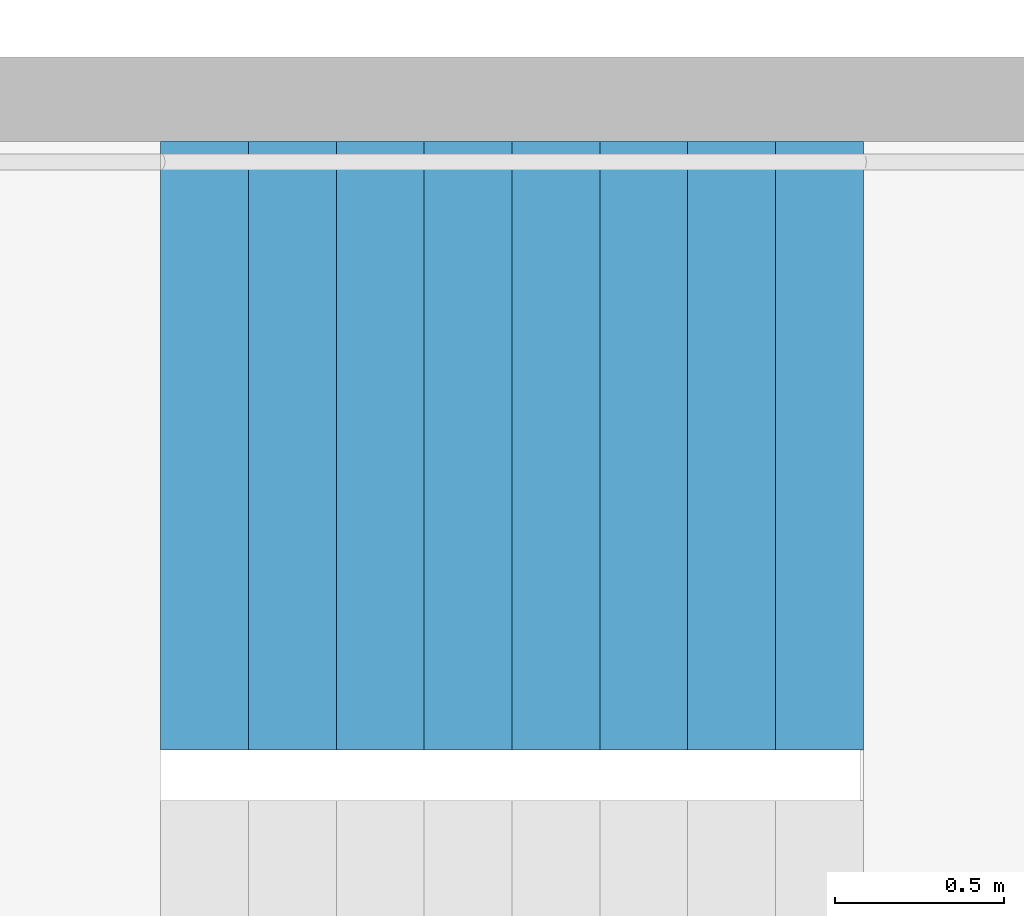
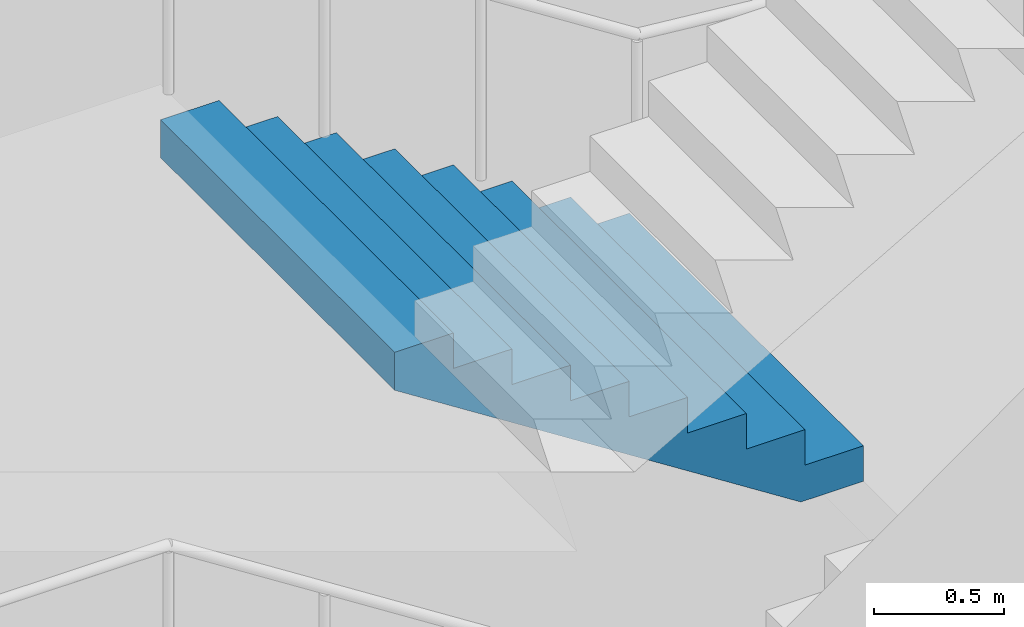
# One storey, part 53 of 100: 1 stair flight, 1 element without a shape of its own.
"""IFC4 building model written with IfcOpenShell, lengths in metres."""

from ifc_helpers import new_model, si_unit, direction, frame, origin, place, context, subcontext, project, spatial, triangles, material, type_object, element, aggregate, save


model = new_model("IFC4")

# Units and contexts
model_context = context("Model", 3, precision=1e-05, world=origin(), true_north=direction((0.0, 1.0)))
body_context = subcontext(model_context, "Body", "Model", "MODEL_VIEW")
ifc_project = project(units=[si_unit("LENGTHUNIT", "METRE"), si_unit("AREAUNIT", "SQUARE_METRE"), si_unit("VOLUMEUNIT", "CUBIC_METRE"), si_unit("PLANEANGLEUNIT", "RADIAN"), si_unit("MASSUNIT", "GRAM", prefix="KILO")], contexts=[model_context])

# Site, building, storey
site_placement = place(None, origin())
site = spatial("IfcSite", under=ifc_project, at=site_placement, CompositionType="ELEMENT")
building_placement = place(site_placement, origin())
building = spatial("IfcBuilding", under=site, at=building_placement, Name="Hakoniwa Tower and Hamabe Station Hall", CompositionType="ELEMENT")
storey_placement = place(building_placement, frame((0.0, 0.0, 9.0)))
storey = spatial("IfcBuildingStorey", under=building, at=storey_placement, Name="L02", CompositionType="ELEMENT", Elevation=9.0)

# Stair, stair flight
ifc_material_1 = material(Name="Concrete C40", Category="concrete")
stair_type = type_object("IfcStairType", Name="ESCAPE STAIR 1800", PredefinedType="HALF_TURN_STAIR", material=ifc_material_1)
stair_placement = place(storey_placement, origin())
stair = element("IfcStair", 1, at=stair_placement, inside=storey, type_object=stair_type, Name="Escape stair ST-2 L02", PredefinedType="HALF_TURN_STAIR")
ifc_material_2 = material(Name="Concrete C40", Category="concrete")
stair_flight_type = type_object("IfcStairFlightType", Name="STAIR FLIGHT 1800", PredefinedType="STRAIGHT", material=ifc_material_2)
stair_flight_placement = place(storey_placement, frame((-23.39990234375, -4.64990234375, 3.0), z_axis=(0.0, 0.0, 1.0), x_axis=(-1.0, 0.0, 0.0)))
stair_flight = element("IfcStairFlight", 2, at=stair_flight_placement, type_object=stair_flight_type, Name="ST-2 flight 3", NumberOfRisers=9, NumberOfTreads=8, PredefinedType="STRAIGHT", RiserHeight=0.166666667, TreadLength=0.26, context=body_context, shape_type="Tessellation", body=[
    triangles([(0.0, 0.89990234375, 0.0), (0.260009765625, 0.89990234375, 0.0), (0.27783203125, 0.89990234375, 0.0), (0.52001953125, 0.89990234375, 0.1552734375), (0.780029296875, 0.89990234375, 0.322021484375), (1.0400390625, 0.89990234375, 0.488525390625), (1.300048828125, 0.89990234375, 0.6552734375), (1.56005859375, 0.89990234375, 0.822021484375), (1.820068359375, 0.89990234375, 0.988525390625), (2.080078125, 0.89990234375, 1.1552734375), (2.080078125, 0.89990234375, 1.333251953125), (1.820068359375, 0.89990234375, 1.333251953125), (1.820068359375, 0.89990234375, 1.166748046875), (1.56005859375, 0.89990234375, 1.166748046875), (1.56005859375, 0.89990234375, 1.0), (1.300048828125, 0.89990234375, 1.0), (1.300048828125, 0.89990234375, 0.833251953125), (1.0400390625, 0.89990234375, 0.833251953125), (1.0400390625, 0.89990234375, 0.666748046875), (0.780029296875, 0.89990234375, 0.666748046875), (0.780029296875, 0.89990234375, 0.5), (0.52001953125, 0.89990234375, 0.5), (0.52001953125, 0.89990234375, 0.333251953125), (0.27783203125, 0.89990234375, 0.333251953125), (0.260009765625, 0.89990234375, 0.333251953125), (0.260009765625, 0.89990234375, 0.166748046875), (0.0, 0.89990234375, 0.166748046875), (0.0, 0.06005859375, 0.0), (0.260009765625, 0.06005859375, 0.0), (0.27783203125, 0.06005859375, 0.0), (0.52001953125, 0.06005859375, 0.1552734375), (0.780029296875, 0.06005859375, 0.322021484375), (1.0400390625, 0.06005859375, 0.488525390625), (1.300048828125, 0.06005859375, 0.6552734375), (1.56005859375, 0.06005859375, 0.822021484375), (1.820068359375, 0.06005859375, 0.988525390625), (2.080078125, 0.06005859375, 1.1552734375), (2.080078125, 0.06005859375, 1.333251953125), (1.820068359375, 0.06005859375, 1.333251953125), (1.820068359375, 0.06005859375, 1.166748046875), (1.56005859375, 0.06005859375, 1.166748046875), (1.56005859375, 0.06005859375, 1.0), (1.300048828125, 0.06005859375, 1.0), (1.300048828125, 0.06005859375, 0.833251953125), (1.0400390625, 0.06005859375, 0.833251953125), (1.0400390625, 0.06005859375, 0.666748046875), (0.780029296875, 0.06005859375, 0.666748046875), (0.780029296875, 0.06005859375, 0.5), (0.52001953125, 0.06005859375, 0.5), (0.52001953125, 0.06005859375, 0.333251953125), (0.27783203125, 0.06005859375, 0.333251953125), (0.260009765625, 0.06005859375, 0.333251953125), (0.260009765625, 0.06005859375, 0.166748046875), (0.0, 0.06005859375, 0.166748046875), (0.0, 0.04296875, 0.0), (0.260009765625, 0.04296875, 0.0), (0.27783203125, 0.04296875, 0.0), (0.52001953125, 0.04296875, 0.1552734375), (0.780029296875, 0.04296875, 0.322021484375), (1.0400390625, 0.04296875, 0.488525390625), (1.300048828125, 0.04296875, 0.6552734375), (1.56005859375, 0.04296875, 0.822021484375), (1.820068359375, 0.04296875, 0.988525390625), (2.080078125, 0.04296875, 1.1552734375), (2.080078125, 0.04296875, 1.333251953125), (1.820068359375, 0.04296875, 1.333251953125), (1.820068359375, 0.04296875, 1.166748046875), (1.56005859375, 0.04296875, 1.166748046875), (1.56005859375, 0.04296875, 1.0), (1.300048828125, 0.04296875, 1.0), (1.300048828125, 0.04296875, 0.833251953125), (1.0400390625, 0.04296875, 0.833251953125), (1.0400390625, 0.04296875, 0.666748046875), (0.780029296875, 0.04296875, 0.666748046875), (0.780029296875, 0.04296875, 0.5), (0.52001953125, 0.04296875, 0.5), (0.52001953125, 0.04296875, 0.333251953125), (0.27783203125, 0.04296875, 0.333251953125), (0.260009765625, 0.04296875, 0.333251953125), (0.260009765625, 0.04296875, 0.166748046875), (0.0, 0.04296875, 0.166748046875), (0.0, 0.025634765625, 0.0), (0.260009765625, 0.025634765625, 0.0), (0.27783203125, 0.025634765625, 0.0), (0.52001953125, 0.025634765625, 0.1552734375), (0.780029296875, 0.025634765625, 0.322021484375), (1.0400390625, 0.025634765625, 0.488525390625), (1.300048828125, 0.025634765625, 0.6552734375), (1.56005859375, 0.025634765625, 0.822021484375), (1.820068359375, 0.025634765625, 0.988525390625), (2.080078125, 0.025634765625, 1.1552734375), (2.080078125, 0.025634765625, 1.333251953125), (1.820068359375, 0.025634765625, 1.333251953125), (1.820068359375, 0.025634765625, 1.166748046875), (1.56005859375, 0.025634765625, 1.166748046875), (1.56005859375, 0.025634765625, 1.0), (1.300048828125, 0.025634765625, 1.0), (1.300048828125, 0.025634765625, 0.833251953125), (1.0400390625, 0.025634765625, 0.833251953125), (1.0400390625, 0.025634765625, 0.666748046875), (0.780029296875, 0.025634765625, 0.666748046875), (0.780029296875, 0.025634765625, 0.5), (0.52001953125, 0.025634765625, 0.5), (0.52001953125, 0.025634765625, 0.333251953125), (0.27783203125, 0.025634765625, 0.333251953125), (0.260009765625, 0.025634765625, 0.333251953125), (0.260009765625, 0.025634765625, 0.166748046875), (0.0, 0.025634765625, 0.166748046875), (0.0, 0.008544921875, 0.0), (0.260009765625, 0.008544921875, 0.0), (0.27783203125, 0.008544921875, 0.0), (0.52001953125, 0.008544921875, 0.1552734375), (0.780029296875, 0.008544921875, 0.322021484375), (1.0400390625, 0.008544921875, 0.488525390625), (1.300048828125, 0.008544921875, 0.6552734375), (1.56005859375, 0.008544921875, 0.822021484375), (1.820068359375, 0.008544921875, 0.988525390625), (2.080078125, 0.008544921875, 1.1552734375), (2.080078125, 0.008544921875, 1.333251953125), (1.820068359375, 0.008544921875, 1.333251953125), (1.820068359375, 0.008544921875, 1.166748046875), (1.56005859375, 0.008544921875, 1.166748046875), (1.56005859375, 0.008544921875, 1.0), (1.300048828125, 0.008544921875, 1.0), (1.300048828125, 0.008544921875, 0.833251953125), (1.0400390625, 0.008544921875, 0.833251953125), (1.0400390625, 0.008544921875, 0.666748046875), (0.780029296875, 0.008544921875, 0.666748046875), (0.780029296875, 0.008544921875, 0.5), (0.52001953125, 0.008544921875, 0.5), (0.52001953125, 0.008544921875, 0.333251953125), (0.27783203125, 0.008544921875, 0.333251953125), (0.260009765625, 0.008544921875, 0.333251953125), (0.260009765625, 0.008544921875, 0.166748046875), (0.0, 0.008544921875, 0.166748046875), (0.0, -0.008544921875, 0.0), (0.260009765625, -0.008544921875, 0.0), (0.27783203125, -0.008544921875, 0.0), (0.52001953125, -0.008544921875, 0.1552734375), (0.780029296875, -0.008544921875, 0.322021484375), (1.0400390625, -0.008544921875, 0.488525390625), (1.300048828125, -0.008544921875, 0.6552734375), (1.56005859375, -0.008544921875, 0.822021484375), (1.820068359375, -0.008544921875, 0.988525390625), (2.080078125, -0.008544921875, 1.1552734375), (2.080078125, -0.008544921875, 1.333251953125), (1.820068359375, -0.008544921875, 1.333251953125), (1.820068359375, -0.008544921875, 1.166748046875), (1.56005859375, -0.008544921875, 1.166748046875), (1.56005859375, -0.008544921875, 1.0), (1.300048828125, -0.008544921875, 1.0), (1.300048828125, -0.008544921875, 0.833251953125), (1.0400390625, -0.008544921875, 0.833251953125), (1.0400390625, -0.008544921875, 0.666748046875), (0.780029296875, -0.008544921875, 0.666748046875), (0.780029296875, -0.008544921875, 0.5), (0.52001953125, -0.008544921875, 0.5), (0.52001953125, -0.008544921875, 0.333251953125), (0.27783203125, -0.008544921875, 0.333251953125), (0.260009765625, -0.008544921875, 0.333251953125), (0.260009765625, -0.008544921875, 0.166748046875), (0.0, -0.008544921875, 0.166748046875), (0.0, -0.025634765625, 0.0), (0.260009765625, -0.025634765625, 0.0), (0.27783203125, -0.025634765625, 0.0), (0.52001953125, -0.025634765625, 0.1552734375), (0.780029296875, -0.025634765625, 0.322021484375), (1.0400390625, -0.025634765625, 0.488525390625), (1.300048828125, -0.025634765625, 0.6552734375), (1.56005859375, -0.025634765625, 0.822021484375), (1.820068359375, -0.025634765625, 0.988525390625), (2.080078125, -0.025634765625, 1.1552734375), (2.080078125, -0.025634765625, 1.333251953125), (1.820068359375, -0.025634765625, 1.333251953125), (1.820068359375, -0.025634765625, 1.166748046875), (1.56005859375, -0.025634765625, 1.166748046875), (1.56005859375, -0.025634765625, 1.0), (1.300048828125, -0.025634765625, 1.0), (1.300048828125, -0.025634765625, 0.833251953125), (1.0400390625, -0.025634765625, 0.833251953125), (1.0400390625, -0.025634765625, 0.666748046875), (0.780029296875, -0.025634765625, 0.666748046875), (0.780029296875, -0.025634765625, 0.5), (0.52001953125, -0.025634765625, 0.5), (0.52001953125, -0.025634765625, 0.333251953125), (0.27783203125, -0.025634765625, 0.333251953125), (0.260009765625, -0.025634765625, 0.333251953125), (0.260009765625, -0.025634765625, 0.166748046875), (0.0, -0.025634765625, 0.166748046875), (0.0, -0.04296875, 0.0), (0.260009765625, -0.04296875, 0.0), (0.27783203125, -0.04296875, 0.0), (0.52001953125, -0.04296875, 0.1552734375), (0.780029296875, -0.04296875, 0.322021484375), (1.0400390625, -0.04296875, 0.488525390625), (1.300048828125, -0.04296875, 0.6552734375), (1.56005859375, -0.04296875, 0.822021484375), (1.820068359375, -0.04296875, 0.988525390625), (2.080078125, -0.04296875, 1.1552734375), (2.080078125, -0.04296875, 1.333251953125), (1.820068359375, -0.04296875, 1.333251953125), (1.820068359375, -0.04296875, 1.166748046875), (1.56005859375, -0.04296875, 1.166748046875), (1.56005859375, -0.04296875, 1.0), (1.300048828125, -0.04296875, 1.0), (1.300048828125, -0.04296875, 0.833251953125), (1.0400390625, -0.04296875, 0.833251953125), (1.0400390625, -0.04296875, 0.666748046875), (0.780029296875, -0.04296875, 0.666748046875), (0.780029296875, -0.04296875, 0.5), (0.52001953125, -0.04296875, 0.5), (0.52001953125, -0.04296875, 0.333251953125), (0.27783203125, -0.04296875, 0.333251953125), (0.260009765625, -0.04296875, 0.333251953125), (0.260009765625, -0.04296875, 0.166748046875), (0.0, -0.04296875, 0.166748046875), (0.0, -0.06005859375, 0.0), (0.260009765625, -0.06005859375, 0.0), (0.27783203125, -0.06005859375, 0.0), (0.52001953125, -0.06005859375, 0.1552734375), (0.780029296875, -0.06005859375, 0.322021484375), (1.0400390625, -0.06005859375, 0.488525390625), (1.300048828125, -0.06005859375, 0.6552734375), (1.56005859375, -0.06005859375, 0.822021484375), (1.820068359375, -0.06005859375, 0.988525390625), (2.080078125, -0.06005859375, 1.1552734375), (2.080078125, -0.06005859375, 1.333251953125), (1.820068359375, -0.06005859375, 1.333251953125), (1.820068359375, -0.06005859375, 1.166748046875), (1.56005859375, -0.06005859375, 1.166748046875), (1.56005859375, -0.06005859375, 1.0), (1.300048828125, -0.06005859375, 1.0), (1.300048828125, -0.06005859375, 0.833251953125), (1.0400390625, -0.06005859375, 0.833251953125), (1.0400390625, -0.06005859375, 0.666748046875), (0.780029296875, -0.06005859375, 0.666748046875), (0.780029296875, -0.06005859375, 0.5), (0.52001953125, -0.06005859375, 0.5), (0.52001953125, -0.06005859375, 0.333251953125), (0.27783203125, -0.06005859375, 0.333251953125), (0.260009765625, -0.06005859375, 0.333251953125), (0.260009765625, -0.06005859375, 0.166748046875), (0.0, -0.06005859375, 0.166748046875), (0.0, -0.89990234375, 0.0), (0.260009765625, -0.89990234375, 0.0), (0.27783203125, -0.89990234375, 0.0), (0.52001953125, -0.89990234375, 0.1552734375), (0.780029296875, -0.89990234375, 0.322021484375), (1.0400390625, -0.89990234375, 0.488525390625), (1.300048828125, -0.89990234375, 0.6552734375), (1.56005859375, -0.89990234375, 0.822021484375), (1.820068359375, -0.89990234375, 0.988525390625), (2.080078125, -0.89990234375, 1.1552734375), (2.080078125, -0.89990234375, 1.333251953125), (1.820068359375, -0.89990234375, 1.333251953125), (1.820068359375, -0.89990234375, 1.166748046875), (1.56005859375, -0.89990234375, 1.166748046875), (1.56005859375, -0.89990234375, 1.0), (1.300048828125, -0.89990234375, 1.0), (1.300048828125, -0.89990234375, 0.833251953125), (1.0400390625, -0.89990234375, 0.833251953125), (1.0400390625, -0.89990234375, 0.666748046875), (0.780029296875, -0.89990234375, 0.666748046875), (0.780029296875, -0.89990234375, 0.5), (0.52001953125, -0.89990234375, 0.5), (0.52001953125, -0.89990234375, 0.333251953125), (0.27783203125, -0.89990234375, 0.333251953125), (0.260009765625, -0.89990234375, 0.333251953125), (0.260009765625, -0.89990234375, 0.166748046875), (0.0, -0.89990234375, 0.166748046875)], [[2, 27, 26], [245, 269, 270], [2, 1, 27], [245, 270, 244], [3, 25, 24], [246, 267, 268], [3, 26, 25], [246, 268, 269], [3, 2, 26], [246, 269, 245], [4, 24, 23], [247, 266, 267], [4, 3, 24], [247, 267, 246], [5, 22, 21], [248, 264, 265], [5, 23, 22], [248, 265, 266], [5, 4, 23], [248, 266, 247], [6, 20, 19], [249, 262, 263], [6, 21, 20], [249, 263, 264], [6, 5, 21], [249, 264, 248], [7, 18, 17], [250, 260, 261], [7, 19, 18], [250, 261, 262], [7, 6, 19], [250, 262, 249], [8, 16, 15], [251, 258, 259], [8, 17, 16], [251, 259, 260], [8, 7, 17], [251, 260, 250], [9, 14, 13], [252, 256, 257], [9, 15, 14], [252, 257, 258], [9, 8, 15], [252, 258, 251], [10, 12, 11], [253, 254, 255], [10, 13, 12], [253, 255, 256], [10, 9, 13], [253, 256, 252], [1, 2, 29], [1, 29, 28], [28, 29, 56], [28, 56, 55], [55, 56, 83], [55, 83, 82], [82, 83, 110], [82, 110, 109], [109, 110, 137], [109, 137, 136], [136, 137, 164], [136, 164, 163], [163, 164, 191], [163, 191, 190], [190, 191, 218], [190, 218, 217], [217, 218, 245], [217, 245, 244], [2, 3, 30], [2, 30, 29], [29, 30, 57], [29, 57, 56], [56, 57, 84], [56, 84, 83], [83, 84, 111], [83, 111, 110], [110, 111, 138], [110, 138, 137], [137, 138, 165], [137, 165, 164], [164, 165, 192], [164, 192, 191], [191, 192, 219], [191, 219, 218], [218, 219, 246], [218, 246, 245], [3, 4, 31], [3, 31, 30], [30, 31, 58], [30, 58, 57], [57, 58, 85], [57, 85, 84], [84, 85, 112], [84, 112, 111], [111, 112, 139], [111, 139, 138], [138, 139, 166], [138, 166, 165], [165, 166, 193], [165, 193, 192], [192, 193, 220], [192, 220, 219], [219, 220, 247], [219, 247, 246], [4, 5, 32], [4, 32, 31], [31, 32, 59], [31, 59, 58], [58, 59, 86], [58, 86, 85], [85, 86, 113], [85, 113, 112], [112, 113, 140], [112, 140, 139], [139, 140, 167], [139, 167, 166], [166, 167, 194], [166, 194, 193], [193, 194, 221], [193, 221, 220], [220, 221, 248], [220, 248, 247], [5, 6, 33], [5, 33, 32], [32, 33, 60], [32, 60, 59], [59, 60, 87], [59, 87, 86], [86, 87, 114], [86, 114, 113], [113, 114, 141], [113, 141, 140], [140, 141, 168], [140, 168, 167], [167, 168, 195], [167, 195, 194], [194, 195, 222], [194, 222, 221], [221, 222, 249], [221, 249, 248], [6, 7, 34], [6, 34, 33], [33, 34, 61], [33, 61, 60], [60, 61, 88], [60, 88, 87], [87, 88, 115], [87, 115, 114], [114, 115, 142], [114, 142, 141], [141, 142, 169], [141, 169, 168], [168, 169, 196], [168, 196, 195], [195, 196, 223], [195, 223, 222], [222, 223, 250], [222, 250, 249], [7, 8, 35], [7, 35, 34], [34, 35, 62], [34, 62, 61], [61, 62, 89], [61, 89, 88], [88, 89, 116], [88, 116, 115], [115, 116, 143], [115, 143, 142], [142, 143, 170], [142, 170, 169], [169, 170, 197], [169, 197, 196], [196, 197, 224], [196, 224, 223], [223, 224, 251], [223, 251, 250], [8, 9, 36], [8, 36, 35], [35, 36, 63], [35, 63, 62], [62, 63, 90], [62, 90, 89], [89, 90, 117], [89, 117, 116], [116, 117, 144], [116, 144, 143], [143, 144, 171], [143, 171, 170], [170, 171, 198], [170, 198, 197], [197, 198, 225], [197, 225, 224], [224, 225, 252], [224, 252, 251], [9, 10, 37], [9, 37, 36], [36, 37, 64], [36, 64, 63], [63, 64, 91], [63, 91, 90], [90, 91, 118], [90, 118, 117], [117, 118, 145], [117, 145, 144], [144, 145, 172], [144, 172, 171], [171, 172, 199], [171, 199, 198], [198, 199, 226], [198, 226, 225], [225, 226, 253], [225, 253, 252], [10, 11, 38], [10, 38, 37], [37, 38, 65], [37, 65, 64], [64, 65, 92], [64, 92, 91], [91, 92, 119], [91, 119, 118], [118, 119, 146], [118, 146, 145], [145, 146, 173], [145, 173, 172], [172, 173, 200], [172, 200, 199], [199, 200, 227], [199, 227, 226], [226, 227, 254], [226, 254, 253], [11, 12, 39], [11, 39, 38], [38, 39, 66], [38, 66, 65], [65, 66, 93], [65, 93, 92], [92, 93, 120], [92, 120, 119], [119, 120, 147], [119, 147, 146], [146, 147, 174], [146, 174, 173], [173, 174, 201], [173, 201, 200], [200, 201, 228], [200, 228, 227], [227, 228, 255], [227, 255, 254], [12, 13, 40], [12, 40, 39], [39, 40, 67], [39, 67, 66], [66, 67, 94], [66, 94, 93], [93, 94, 121], [93, 121, 120], [120, 121, 148], [120, 148, 147], [147, 148, 175], [147, 175, 174], [174, 175, 202], [174, 202, 201], [201, 202, 229], [201, 229, 228], [228, 229, 256], [228, 256, 255], [13, 14, 41], [13, 41, 40], [40, 41, 68], [40, 68, 67], [67, 68, 95], [67, 95, 94], [94, 95, 122], [94, 122, 121], [121, 122, 149], [121, 149, 148], [148, 149, 176], [148, 176, 175], [175, 176, 203], [175, 203, 202], [202, 203, 230], [202, 230, 229], [229, 230, 257], [229, 257, 256], [14, 15, 42], [14, 42, 41], [41, 42, 69], [41, 69, 68], [68, 69, 96], [68, 96, 95], [95, 96, 123], [95, 123, 122], [122, 123, 150], [122, 150, 149], [149, 150, 177], [149, 177, 176], [176, 177, 204], [176, 204, 203], [203, 204, 231], [203, 231, 230], [230, 231, 258], [230, 258, 257], [15, 16, 43], [15, 43, 42], [42, 43, 70], [42, 70, 69], [69, 70, 97], [69, 97, 96], [96, 97, 124], [96, 124, 123], [123, 124, 151], [123, 151, 150], [150, 151, 178], [150, 178, 177], [177, 178, 205], [177, 205, 204], [204, 205, 232], [204, 232, 231], [231, 232, 259], [231, 259, 258], [16, 17, 44], [16, 44, 43], [43, 44, 71], [43, 71, 70], [70, 71, 98], [70, 98, 97], [97, 98, 125], [97, 125, 124], [124, 125, 152], [124, 152, 151], [151, 152, 179], [151, 179, 178], [178, 179, 206], [178, 206, 205], [205, 206, 233], [205, 233, 232], [232, 233, 260], [232, 260, 259], [17, 18, 45], [17, 45, 44], [44, 45, 72], [44, 72, 71], [71, 72, 99], [71, 99, 98], [98, 99, 126], [98, 126, 125], [125, 126, 153], [125, 153, 152], [152, 153, 180], [152, 180, 179], [179, 180, 207], [179, 207, 206], [206, 207, 234], [206, 234, 233], [233, 234, 261], [233, 261, 260], [18, 19, 46], [18, 46, 45], [45, 46, 73], [45, 73, 72], [72, 73, 100], [72, 100, 99], [99, 100, 127], [99, 127, 126], [126, 127, 154], [126, 154, 153], [153, 154, 181], [153, 181, 180], [180, 181, 208], [180, 208, 207], [207, 208, 235], [207, 235, 234], [234, 235, 262], [234, 262, 261], [19, 20, 47], [19, 47, 46], [46, 47, 74], [46, 74, 73], [73, 74, 101], [73, 101, 100], [100, 101, 128], [100, 128, 127], [127, 128, 155], [127, 155, 154], [154, 155, 182], [154, 182, 181], [181, 182, 209], [181, 209, 208], [208, 209, 236], [208, 236, 235], [235, 236, 263], [235, 263, 262], [20, 21, 48], [20, 48, 47], [47, 48, 75], [47, 75, 74], [74, 75, 102], [74, 102, 101], [101, 102, 129], [101, 129, 128], [128, 129, 156], [128, 156, 155], [155, 156, 183], [155, 183, 182], [182, 183, 210], [182, 210, 209], [209, 210, 237], [209, 237, 236], [236, 237, 264], [236, 264, 263], [21, 22, 49], [21, 49, 48], [48, 49, 76], [48, 76, 75], [75, 76, 103], [75, 103, 102], [102, 103, 130], [102, 130, 129], [129, 130, 157], [129, 157, 156], [156, 157, 184], [156, 184, 183], [183, 184, 211], [183, 211, 210], [210, 211, 238], [210, 238, 237], [237, 238, 265], [237, 265, 264], [22, 23, 50], [22, 50, 49], [49, 50, 77], [49, 77, 76], [76, 77, 104], [76, 104, 103], [103, 104, 131], [103, 131, 130], [130, 131, 158], [130, 158, 157], [157, 158, 185], [157, 185, 184], [184, 185, 212], [184, 212, 211], [211, 212, 239], [211, 239, 238], [238, 239, 266], [238, 266, 265], [23, 24, 51], [23, 51, 50], [50, 51, 78], [50, 78, 77], [77, 78, 105], [77, 105, 104], [104, 105, 132], [104, 132, 131], [131, 132, 159], [131, 159, 158], [158, 159, 186], [158, 186, 185], [185, 186, 213], [185, 213, 212], [212, 213, 240], [212, 240, 239], [239, 240, 267], [239, 267, 266], [24, 25, 52], [24, 52, 51], [51, 52, 79], [51, 79, 78], [78, 79, 106], [78, 106, 105], [105, 106, 133], [105, 133, 132], [132, 133, 160], [132, 160, 159], [159, 160, 187], [159, 187, 186], [186, 187, 214], [186, 214, 213], [213, 214, 241], [213, 241, 240], [240, 241, 268], [240, 268, 267], [25, 26, 53], [25, 53, 52], [52, 53, 80], [52, 80, 79], [79, 80, 107], [79, 107, 106], [106, 107, 134], [106, 134, 133], [133, 134, 161], [133, 161, 160], [160, 161, 188], [160, 188, 187], [187, 188, 215], [187, 215, 214], [214, 215, 242], [214, 242, 241], [241, 242, 269], [241, 269, 268], [26, 27, 54], [26, 54, 53], [53, 54, 81], [53, 81, 80], [80, 81, 108], [80, 108, 107], [107, 108, 135], [107, 135, 134], [134, 135, 162], [134, 162, 161], [161, 162, 189], [161, 189, 188], [188, 189, 216], [188, 216, 215], [215, 216, 243], [215, 243, 242], [242, 243, 270], [242, 270, 269], [27, 1, 28], [27, 28, 54], [54, 28, 55], [54, 55, 81], [81, 55, 82], [81, 82, 108], [108, 82, 109], [108, 109, 135], [135, 109, 136], [135, 136, 162], [162, 136, 163], [162, 163, 189], [189, 163, 190], [189, 190, 216], [216, 190, 217], [216, 217, 243], [243, 217, 244], [243, 244, 270]], closed=True),
])
aggregate(stair, [stair_flight])

save(model, "model.ifc")
